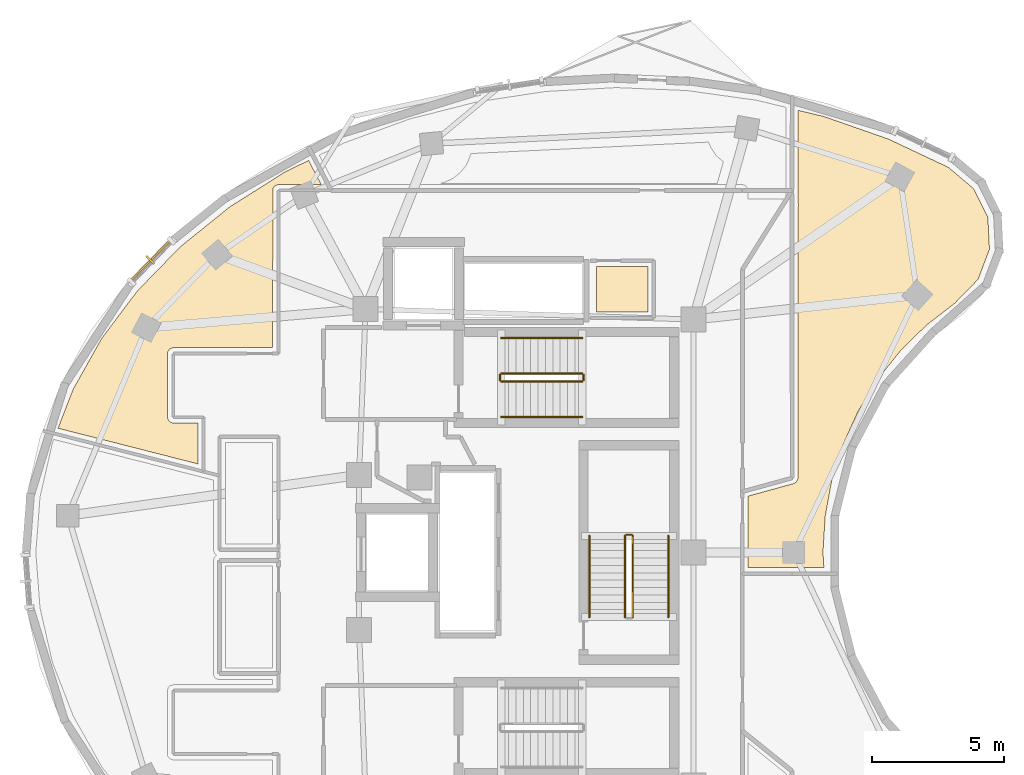
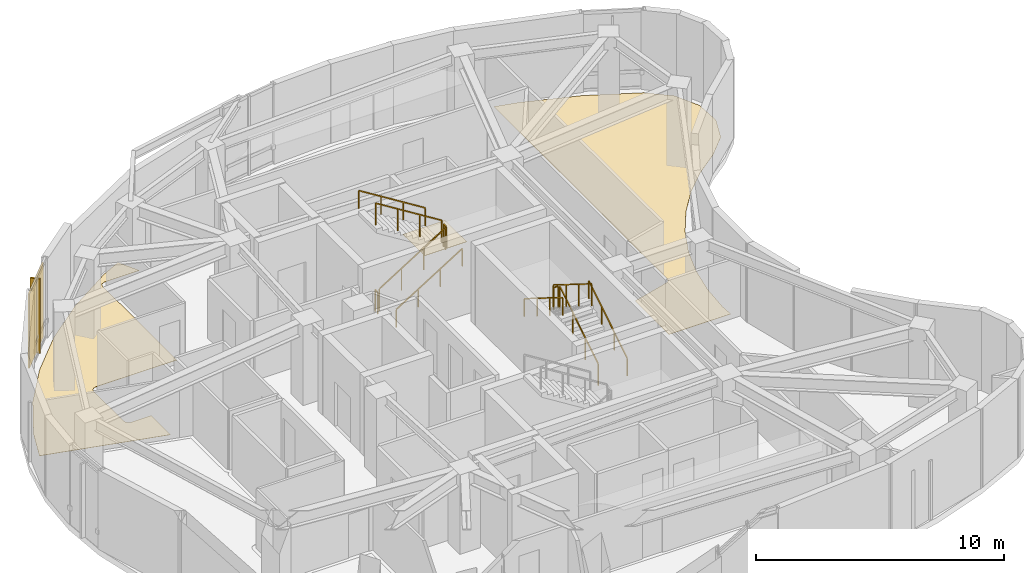
# One storey, part 9 of 10: 11 railings, 3 coverings, 2 shading devices.
"""IFC4 building model written with IfcOpenShell, lengths in metres."""

from ifc_helpers import new_model, si_unit, direction, frame, origin, origin_2d, place, context, subcontext, project, spatial, polyline, rectangle, outline, extrude, material, layer, layer_set, type_object, element, save


model = new_model("IFC4")

# Units and contexts
model_context = context("Model", 3, precision=1e-05, world=origin(), true_north=direction((0.0, 1.0)))
body_context = subcontext(model_context, "Body", "Model", "MODEL_VIEW")
ifc_project = project(units=[si_unit("LENGTHUNIT", "METRE"), si_unit("AREAUNIT", "SQUARE_METRE"), si_unit("VOLUMEUNIT", "CUBIC_METRE"), si_unit("PLANEANGLEUNIT", "RADIAN"), si_unit("MASSUNIT", "GRAM", prefix="KILO")], contexts=[model_context])

# Site, building, storey
site_placement = place(None, origin())
site = spatial("IfcSite", under=ifc_project, at=site_placement, CompositionType="ELEMENT")
building_placement = place(site_placement, origin())
building = spatial("IfcBuilding", under=site, at=building_placement, Name="Korentha Bioscience Tower", CompositionType="ELEMENT")
storey_placement = place(building_placement, frame((0.0, 0.0, 306.0)))
storey = spatial("IfcBuildingStorey", under=building, at=storey_placement, Name="L70", CompositionType="ELEMENT", Elevation=306.0)

# Covering
ifc_material_1 = material(Name="Vitrified Porcelain Tile", Category="ceramic")
ifc_layer_1 = layer(ifc_material_1, 0.014892578125, Name="Vitrified Porcelain Tile")
ifc_layer_set_1 = layer_set([ifc_layer_1], Name="Vitrified Porcelain Tile (FL-CER)")
covering_type_1 = type_object("IfcCoveringType", Name="Anti-Slip Ceramic Wet-Room Tile Flooring 15", PredefinedType="FLOORING", material=ifc_layer_set_1)
covering_1_placement = place(storey_placement, origin())
element("IfcCovering", 1, at=covering_1_placement, inside=storey, type_object=covering_type_1, Name="L70 Accessible Staff WC Floor Finish", PredefinedType="FLOORING", context=body_context, shape_type="SweptSolid", body=[
    extrude(outline(polyline([(33.8701171875, 36.1298828125), (33.8701171875, 37.8701171875), (35.830078125, 37.8701171875), (35.830078125, 36.1298828125), (33.8701171875, 36.1298828125)])), origin(), (0.0, 0.0, 1.0), 0.014892578125),
])

# Railings
ifc_material_2 = material(Name="Stainless Steel 304", Category="steel")
railing_type_1 = type_object("IfcRailingType", Name="Brushed Stainless Stair Handrail 900", PredefinedType="HANDRAIL", material=ifc_material_2)
railing_1_placement = place(storey_placement, frame((30.25, 32.14990234375, 0.175048828125)))
element("IfcRailing", 2, at=railing_1_placement, inside=storey, type_object=railing_type_1, Name="L70 ST-1 stair handrail 1", PredefinedType="HANDRAIL", context=body_context, shape_type="SweptSolid", body=[
    extrude(rectangle(XDim=0.048095703125, YDim=0.048095703125, at=origin_2d()), frame((0.0, 0.0, 0.8759765625), z_axis=(0.847998304005, 0.0, 0.529998940003), x_axis=(0.0, 1.0, 0.0)), (0.0, 0.0, 1.0), 3.632080078125),
    extrude(rectangle(XDim=0.0419921875, YDim=0.0419921875, at=origin_2d()), origin(), (0.0, 0.0, 1.0), 0.851806640625),
    extrude(rectangle(XDim=0.0419921875, YDim=0.0419921875, at=origin_2d()), frame((1.026611328125, 0.0, 0.6416015625)), (0.0, 0.0, 1.0), 0.851806640625),
    extrude(rectangle(XDim=0.0419921875, YDim=0.0419921875, at=origin_2d()), frame((2.053466796875, 0.0, 1.283447265625)), (0.0, 0.0, 1.0), 0.851806640625),
    extrude(rectangle(XDim=0.0419921875, YDim=0.0419921875, at=origin_2d()), frame((3.080078125, 0.0, 1.925048828125)), (0.0, 0.0, 1.0), 0.851806640625),
])
railing_2_placement = place(storey_placement, frame((33.330078125, 35.14990234375, 2.27490234375)))
element("IfcRailing", 3, at=railing_2_placement, inside=storey, type_object=railing_type_1, Name="L70 ST-1 stair handrail 2", PredefinedType="HANDRAIL", context=body_context, shape_type="SweptSolid", body=[
    extrude(rectangle(XDim=0.048095703125, YDim=0.048095703125, at=origin_2d()), frame((0.0, 0.0, 0.8759765625), z_axis=(-0.847998304005, 0.0, 0.529998940003), x_axis=(0.0, -1.0, 0.0)), (0.0, 0.0, 1.0), 3.632080078125),
    extrude(rectangle(XDim=0.0419921875, YDim=0.0419921875, at=origin_2d()), origin(), (0.0, 0.0, 1.0), 0.851806640625),
    extrude(rectangle(XDim=0.0419921875, YDim=0.0419921875, at=origin_2d()), frame((-1.026611328125, 0.0, 0.6416015625)), (0.0, 0.0, 1.0), 0.851806640625),
    extrude(rectangle(XDim=0.0419921875, YDim=0.0419921875, at=origin_2d()), frame((-2.053466796875, 0.0, 1.283447265625)), (0.0, 0.0, 1.0), 0.851806640625),
    extrude(rectangle(XDim=0.0419921875, YDim=0.0419921875, at=origin_2d()), frame((-3.080078125, 0.0, 1.925048828125)), (0.0, 0.0, 1.0), 0.851806640625),
])
railing_3_placement = place(storey_placement, frame((36.60009765625, 24.550048828125, 0.175048828125)))
element("IfcRailing", 4, at=railing_3_placement, inside=storey, type_object=railing_type_1, Name="L70 ST-3 stair handrail 1", PredefinedType="HANDRAIL", context=body_context, shape_type="SweptSolid", body=[
    extrude(rectangle(XDim=0.048095703125, YDim=0.048095703125, at=origin_2d()), frame((0.0, 0.0, 0.8759765625), z_axis=(0.0, 0.847979421464, 0.530029150871), x_axis=(-1.0, 0.0, 0.0)), (0.0, 0.0, 1.0), 3.632080078125),
    extrude(rectangle(XDim=0.0419921875, YDim=0.0419921875, at=origin_2d()), origin(), (0.0, 0.0, 1.0), 0.851806640625),
    extrude(rectangle(XDim=0.0419921875, YDim=0.0419921875, at=origin_2d()), frame((0.0, 1.026611328125, 0.6416015625)), (0.0, 0.0, 1.0), 0.851806640625),
    extrude(rectangle(XDim=0.0419921875, YDim=0.0419921875, at=origin_2d()), frame((0.0, 2.05322265625, 1.283447265625)), (0.0, 0.0, 1.0), 0.851806640625),
    extrude(rectangle(XDim=0.0419921875, YDim=0.0419921875, at=origin_2d()), frame((0.0, 3.079833984375, 1.925048828125)), (0.0, 0.0, 1.0), 0.851806640625),
])
railing_4_placement = place(storey_placement, frame((33.60009765625, 27.6298828125, 2.27490234375)))
element("IfcRailing", 5, at=railing_4_placement, inside=storey, type_object=railing_type_1, Name="L70 ST-3 stair handrail 2", PredefinedType="HANDRAIL", context=body_context, shape_type="SweptSolid", body=[
    extrude(rectangle(XDim=0.048095703125, YDim=0.048095703125, at=origin_2d()), frame((0.0, 0.0, 0.8759765625), z_axis=(0.0, -0.847979421464, 0.530029150871), x_axis=(1.0, 0.0, 0.0)), (0.0, 0.0, 1.0), 3.632080078125),
    extrude(rectangle(XDim=0.0419921875, YDim=0.0419921875, at=origin_2d()), origin(), (0.0, 0.0, 1.0), 0.851806640625),
    extrude(rectangle(XDim=0.0419921875, YDim=0.0419921875, at=origin_2d()), frame((0.0, -1.026611328125, 0.6416015625)), (0.0, 0.0, 1.0), 0.851806640625),
    extrude(rectangle(XDim=0.0419921875, YDim=0.0419921875, at=origin_2d()), frame((0.0, -2.05322265625, 1.283447265625)), (0.0, 0.0, 1.0), 0.851806640625),
    extrude(rectangle(XDim=0.0419921875, YDim=0.0419921875, at=origin_2d()), frame((0.0, -3.079833984375, 1.925048828125)), (0.0, 0.0, 1.0), 0.851806640625),
])
ifc_material_3 = material(Name="Painted Steel S275", Category="steel")
railing_type_2 = type_object("IfcRailingType", Name="Painted Steel Stair Well Guardrail 1100", PredefinedType="GUARDRAIL", material=ifc_material_3)
railing_5_placement = place(storey_placement, frame((30.25, 33.5, 0.175048828125)))
element("IfcRailing", 6, at=railing_5_placement, inside=storey, type_object=railing_type_2, Name="L70 ST-1 stair guard 1", PredefinedType="GUARDRAIL", context=body_context, shape_type="SweptSolid", body=[
    extrude(rectangle(XDim=0.048095703125, YDim=0.048095703125, at=origin_2d()), frame((0.0, 0.0, 1.076171875), z_axis=(0.847998304005, 0.0, 0.529998940003), x_axis=(0.0, 1.0, 0.0)), (0.0, 0.0, 1.0), 3.632080078125),
    extrude(rectangle(XDim=0.0419921875, YDim=0.0419921875, at=origin_2d()), origin(), (0.0, 0.0, 1.0), 1.052001953125),
    extrude(rectangle(XDim=0.0419921875, YDim=0.0419921875, at=origin_2d()), frame((1.026611328125, 0.0, 0.6416015625)), (0.0, 0.0, 1.0), 1.052001953125),
    extrude(rectangle(XDim=0.0419921875, YDim=0.0419921875, at=origin_2d()), frame((2.053466796875, 0.0, 1.283447265625)), (0.0, 0.0, 1.0), 1.052001953125),
    extrude(rectangle(XDim=0.0419921875, YDim=0.0419921875, at=origin_2d()), frame((3.080078125, 0.0, 1.925048828125)), (0.0, 0.0, 1.0), 1.052001953125),
])
railing_6_placement = place(storey_placement, frame((33.3798828125, 33.550048828125, 2.10009765625)))
element("IfcRailing", 7, at=railing_6_placement, inside=storey, type_object=railing_type_2, Name="L70 ST-1 stair guard 2", PredefinedType="GUARDRAIL", context=body_context, shape_type="SweptSolid", body=[
    extrude(rectangle(XDim=0.048095703125, YDim=0.048095703125, at=origin_2d()), frame((0.0, 0.0, 1.076171875), z_axis=(0.0, 1.0, 0.0), x_axis=(-1.0, 0.0, 0.0)), (0.0, 0.0, 1.0), 0.199951171875),
    extrude(rectangle(XDim=0.0419921875, YDim=0.0419921875, at=origin_2d()), origin(), (0.0, 0.0, 1.0), 1.052001953125),
    extrude(rectangle(XDim=0.0419921875, YDim=0.0419921875, at=origin_2d()), frame((0.0, 0.199951171875, 0.0)), (0.0, 0.0, 1.0), 1.052001953125),
])
railing_7_placement = place(storey_placement, frame((33.330078125, 33.800048828125, 2.27490234375)))
element("IfcRailing", 8, at=railing_7_placement, inside=storey, type_object=railing_type_2, Name="L70 ST-1 stair guard 3", PredefinedType="GUARDRAIL", context=body_context, shape_type="SweptSolid", body=[
    extrude(rectangle(XDim=0.048095703125, YDim=0.048095703125, at=origin_2d()), frame((0.0, 0.0, 1.076171875), z_axis=(-0.847998304005, 0.0, 0.529998940003), x_axis=(0.0, -1.0, 0.0)), (0.0, 0.0, 1.0), 3.632080078125),
    extrude(rectangle(XDim=0.0419921875, YDim=0.0419921875, at=origin_2d()), origin(), (0.0, 0.0, 1.0), 1.052001953125),
    extrude(rectangle(XDim=0.0419921875, YDim=0.0419921875, at=origin_2d()), frame((-1.026611328125, 0.0, 0.6416015625)), (0.0, 0.0, 1.0), 1.052001953125),
    extrude(rectangle(XDim=0.0419921875, YDim=0.0419921875, at=origin_2d()), frame((-2.053466796875, 0.0, 1.283447265625)), (0.0, 0.0, 1.0), 1.052001953125),
    extrude(rectangle(XDim=0.0419921875, YDim=0.0419921875, at=origin_2d()), frame((-3.080078125, 0.0, 1.925048828125)), (0.0, 0.0, 1.0), 1.052001953125),
])
railing_8_placement = place(storey_placement, frame((30.199951171875, 33.550048828125, 0.0)))
element("IfcRailing", 9, at=railing_8_placement, inside=storey, type_object=railing_type_2, Name="L70 ST-1 stair guard 4", PredefinedType="GUARDRAIL", context=body_context, shape_type="SweptSolid", body=[
    extrude(rectangle(XDim=0.048095703125, YDim=0.048095703125, at=origin_2d()), frame((0.0, 0.0, 1.076171875), z_axis=(0.0, 1.0, 0.0), x_axis=(-1.0, 0.0, 0.0)), (0.0, 0.0, 1.0), 0.199951171875),
    extrude(rectangle(XDim=0.0419921875, YDim=0.0419921875, at=origin_2d()), origin(), (0.0, 0.0, 1.0), 1.052001953125),
    extrude(rectangle(XDim=0.0419921875, YDim=0.0419921875, at=origin_2d()), frame((0.0, 0.199951171875, 0.0)), (0.0, 0.0, 1.0), 1.052001953125),
])
railing_9_placement = place(storey_placement, frame((35.25, 24.550048828125, 0.175048828125)))
element("IfcRailing", 10, at=railing_9_placement, inside=storey, type_object=railing_type_2, Name="L70 ST-3 stair guard 1", PredefinedType="GUARDRAIL", context=body_context, shape_type="SweptSolid", body=[
    extrude(rectangle(XDim=0.048095703125, YDim=0.048095703125, at=origin_2d()), frame((0.0, 0.0, 1.076171875), z_axis=(0.0, 0.847979421464, 0.530029150871), x_axis=(-1.0, 0.0, 0.0)), (0.0, 0.0, 1.0), 3.632080078125),
    extrude(rectangle(XDim=0.0419921875, YDim=0.0419921875, at=origin_2d()), origin(), (0.0, 0.0, 1.0), 1.052001953125),
    extrude(rectangle(XDim=0.0419921875, YDim=0.0419921875, at=origin_2d()), frame((0.0, 1.026611328125, 0.6416015625)), (0.0, 0.0, 1.0), 1.052001953125),
    extrude(rectangle(XDim=0.0419921875, YDim=0.0419921875, at=origin_2d()), frame((0.0, 2.05322265625, 1.283447265625)), (0.0, 0.0, 1.0), 1.052001953125),
    extrude(rectangle(XDim=0.0419921875, YDim=0.0419921875, at=origin_2d()), frame((0.0, 3.079833984375, 1.925048828125)), (0.0, 0.0, 1.0), 1.052001953125),
])
railing_10_placement = place(storey_placement, frame((35.199951171875, 27.679931640625, 2.10009765625)))
element("IfcRailing", 11, at=railing_10_placement, inside=storey, type_object=railing_type_2, Name="L70 ST-3 stair guard 2", PredefinedType="GUARDRAIL", context=body_context, shape_type="SweptSolid", body=[
    extrude(rectangle(XDim=0.048095703125, YDim=0.048095703125, at=origin_2d()), frame((0.0, 0.0, 1.076171875), z_axis=(-1.0, 0.0, 0.0), x_axis=(0.0, -1.0, 0.0)), (0.0, 0.0, 1.0), 0.199951171875),
    extrude(rectangle(XDim=0.0419921875, YDim=0.0419921875, at=origin_2d()), origin(), (0.0, 0.0, 1.0), 1.052001953125),
    extrude(rectangle(XDim=0.0419921875, YDim=0.0419921875, at=origin_2d()), frame((-0.199951171875, 0.0, 0.0)), (0.0, 0.0, 1.0), 1.052001953125),
])
railing_11_placement = place(storey_placement, frame((34.949951171875, 27.6298828125, 2.27490234375)))
element("IfcRailing", 12, at=railing_11_placement, inside=storey, type_object=railing_type_2, Name="L70 ST-3 stair guard 3", PredefinedType="GUARDRAIL", context=body_context, shape_type="SweptSolid", body=[
    extrude(rectangle(XDim=0.048095703125, YDim=0.048095703125, at=origin_2d()), frame((0.0, 0.0, 1.076171875), z_axis=(0.0, -0.847979421464, 0.530029150871), x_axis=(1.0, 0.0, 0.0)), (0.0, 0.0, 1.0), 3.632080078125),
    extrude(rectangle(XDim=0.0419921875, YDim=0.0419921875, at=origin_2d()), origin(), (0.0, 0.0, 1.0), 1.052001953125),
    extrude(rectangle(XDim=0.0419921875, YDim=0.0419921875, at=origin_2d()), frame((0.0, -1.026611328125, 0.6416015625)), (0.0, 0.0, 1.0), 1.052001953125),
    extrude(rectangle(XDim=0.0419921875, YDim=0.0419921875, at=origin_2d()), frame((0.0, -2.05322265625, 1.283447265625)), (0.0, 0.0, 1.0), 1.052001953125),
    extrude(rectangle(XDim=0.0419921875, YDim=0.0419921875, at=origin_2d()), frame((0.0, -3.079833984375, 1.925048828125)), (0.0, 0.0, 1.0), 1.052001953125),
])

# Shading device
ifc_material_4 = material(Name="Perforated Stone-Ceramic Composite", Category="masonry")
ifc_layer_2 = layer(ifc_material_4, 0.06494140625, Name="Perforated Stone-Ceramic Composite")
ifc_layer_set_2 = layer_set([ifc_layer_2], Name="Perforated Stone-Ceramic Composite (CS-01)")
shading_device_type_1 = type_object("IfcShadingDeviceType", Name="Perforated Stone-Ceramic Solar Screen Panel 65", PredefinedType="USERDEFINED", material=ifc_layer_set_2)
shading_device_1_placement = place(storey_placement, frame((16.92919921875, 38.097900390625, 0.0), z_axis=(0.0, 0.0, 1.0), x_axis=(-0.697567217128, -0.716519349067, 0.0)))
element("IfcShadingDevice", 13, at=shading_device_1_placement, inside=storey, type_object=shading_device_type_1, Name="CW-L70-13 Perforated Stone-Ceramic Solar Screen", ObjectType="SCREEN", PredefinedType="USERDEFINED", context=body_context, shape_type="SweptSolid", body=[
    extrude(rectangle(XDim=2.30517578125, YDim=0.06494140625, at=origin_2d()), origin(), (0.0, 0.0, 1.0), 3.64990234375),
])

# Coverings
ifc_material_5 = material(Name="Chemical-Resistant Epoxy Resin", Category="polymer")
ifc_layer_3 = layer(ifc_material_5, 0.011962890625, Name="Chemical-Resistant Epoxy Resin")
ifc_layer_set_3 = layer_set([ifc_layer_3], Name="Chemical-Resistant Epoxy Resin (FL-EPX)")
covering_type_2 = type_object("IfcCoveringType", Name="Seamless Epoxy Laboratory Flooring 12", PredefinedType="FLOORING", material=ifc_layer_set_3)
covering_2_placement = place(storey_placement, origin())
element("IfcCovering", 14, at=covering_2_placement, inside=storey, type_object=covering_type_2, Name="L70 Airlock Gowning Anteroom 07 Floor Finish", PredefinedType="FLOORING", context=body_context, shape_type="SweptSolid", body=[
    extrude(outline(polyline([(42.5068359375, 26.427978515625), (39.6298828125, 26.427978515625), (39.6298828125, 29.143798828125), (41.3779296875, 29.626220703125), (41.46630859375, 29.687255859375), (41.52001953125, 29.803466796875), (41.52197265625, 40.10205078125), (41.543701171875, 40.191162109375), (41.522216796875, 40.293701171875), (41.52197265625, 43.80078125), (42.5126953125, 43.56201171875), (44.9658203125, 42.702880859375), (47.234619140625, 41.63232421875), (48.195556640625, 40.8232421875), (48.736083984375, 39.733154296875), (48.79638671875, 38.518310546875), (48.3662109375, 37.380615234375), (47.469482421875, 36.458984375), (46.401123046875, 35.635986328125), (45.427978515625, 34.679931640625), (44.535400390625, 33.557861328125), (43.8046875, 32.36083984375), (43.22802734375, 31.08984375), (42.807861328125, 29.748291015625), (42.555908203125, 28.3720703125), (42.473388671875, 27.022705078125), (42.5068359375, 26.427978515625)])), origin(), (0.0, 0.0, 1.0), 0.011962890625),
])
covering_3_placement = place(storey_placement, origin())
element("IfcCovering", 15, at=covering_3_placement, inside=storey, type_object=covering_type_2, Name="L70 Biostatistics Research Office 11 Floor Finish", PredefinedType="FLOORING", context=body_context, shape_type="SweptSolid", body=[
    extrude(outline(polyline([(15.068359375, 35.127197265625), (16.435302734375, 36.945556640625), (18.069091796875, 38.62353515625), (19.947265625, 40.13623046875), (22.04150390625, 41.459716796875), (22.93310546875, 41.8955078125), (23.413818359375, 40.97998046875), (21.7666015625, 40.9775390625), (21.645263671875, 40.920166015625), (21.59228515625, 40.848876953125), (21.572509765625, 40.7841796875), (21.570068359375, 34.780029296875), (17.789306640625, 34.77978515625), (17.663330078125, 34.735107421875), (17.58349609375, 34.6279296875), (17.570068359375, 34.550048828125), (17.576904296875, 32.093505859375), (17.64599609375, 31.979248046875), (17.765869140625, 31.922607421875), (18.72802734375, 31.919921875), (18.72802734375, 30.3662109375), (13.41455078125, 31.720458984375), (13.986572265625, 33.195556640625), (15.068359375, 35.127197265625)])), origin(), (0.0, 0.0, 1.0), 0.011962890625),
])

# Shading device
ifc_material_6 = material(Name="Honed Travertine Limestone", Category="masonry")
ifc_layer_4 = layer(ifc_material_6, 0.080078125, Name="Honed Travertine Limestone")
ifc_layer_set_4 = layer_set([ifc_layer_4], Name="Honed Travertine Limestone (CS-02)")
shading_device_type_2 = type_object("IfcShadingDeviceType", Name="Vertical Honed Limestone Sunshade Fin 80x420", PredefinedType="USERDEFINED", material=ifc_layer_set_4)
shading_device_2_placement = place(storey_placement, frame((16.914794921875, 38.112060546875, 0.0), z_axis=(0.0, 0.0, 1.0), x_axis=(-0.697567217128, -0.716519349067, 0.0)))
element("IfcShadingDevice", 16, at=shading_device_2_placement, inside=storey, type_object=shading_device_type_2, Name="CW-L70-13 Limestone Sunshade Fin", ObjectType="SCREEN", PredefinedType="USERDEFINED", context=body_context, shape_type="SweptSolid", body=[
    extrude(rectangle(XDim=0.080078125, YDim=0.419921875, at=origin_2d()), origin(), (0.0, 0.0, 1.0), 3.64990234375),
])

save(model, "model.ifc")
